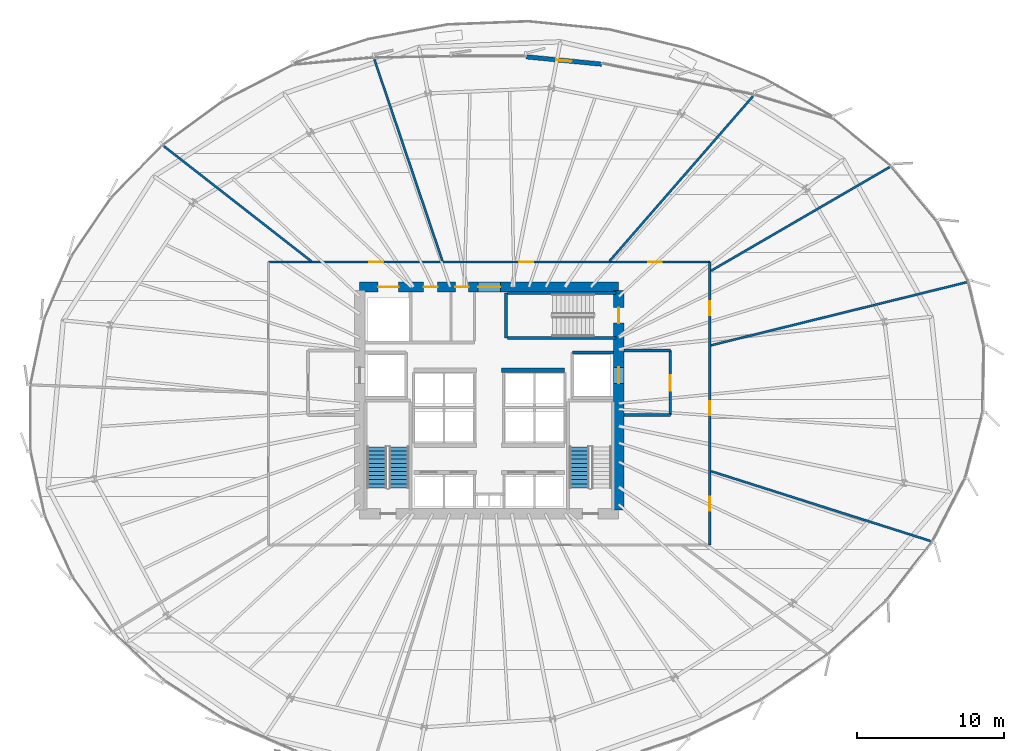
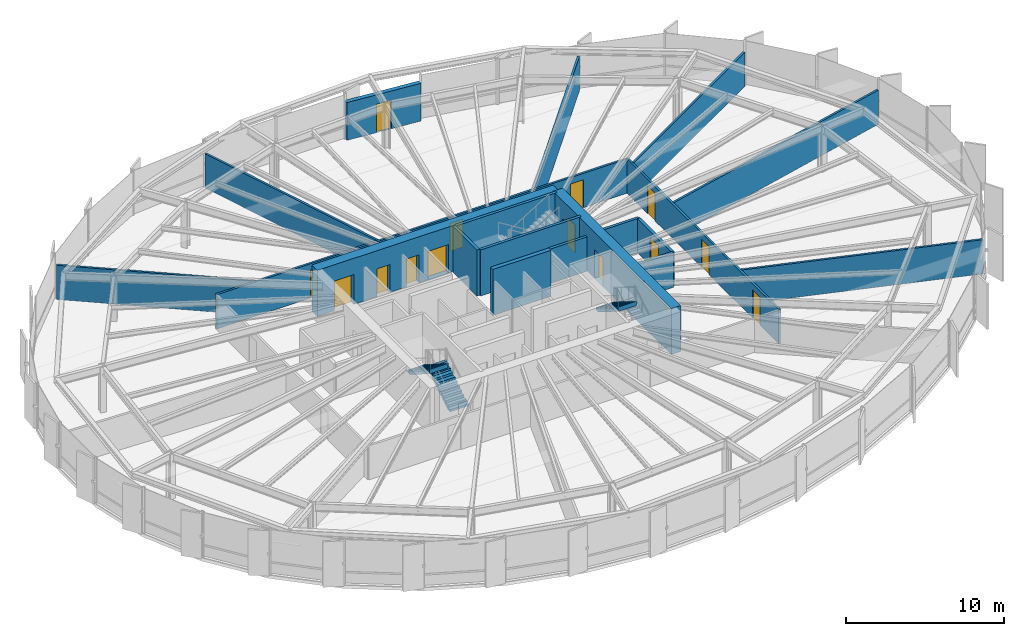
# One storey, part 31 of 37: 19 walls, 14 doors, 3 stair flights, 14 openings, 2 elements without a shape of their own.
"""IFC4 building model written with IfcOpenShell, lengths in metres."""

from ifc_helpers import new_model, si_unit, direction, frame, frame_2d, origin, place, context, subcontext, project, spatial, polyline, rectangle, outline, extrude, source, transform, mapped, material, layer, layer_set, type_object, element, fill, aggregate, save


model = new_model("IFC4")

# Units and contexts
model_context = context("Model", 3, precision=1e-05, world=origin(), true_north=direction((0.0, 1.0)))
body_context = subcontext(model_context, "Body", "Model", "MODEL_VIEW")
ifc_project = project(units=[si_unit("LENGTHUNIT", "METRE"), si_unit("AREAUNIT", "SQUARE_METRE"), si_unit("VOLUMEUNIT", "CUBIC_METRE"), si_unit("PLANEANGLEUNIT", "RADIAN"), si_unit("MASSUNIT", "GRAM", prefix="KILO"), si_unit("THERMODYNAMICTEMPERATUREUNIT", "KELVIN")], contexts=[model_context])

# Site, building, storey
site_placement = place(None, origin())
site = spatial("IfcSite", under=ifc_project, at=site_placement, CompositionType="ELEMENT")
building_placement = place(site_placement, origin())
building = spatial("IfcBuilding", under=site, at=building_placement, Name="Kethvar Cultural Tower", CompositionType="ELEMENT")
storey_placement = place(building_placement, frame((0.0, 0.0, 56.199951171875)))
storey = spatial("IfcBuildingStorey", under=building, at=storey_placement, Name="L13", CompositionType="ELEMENT", Elevation=56.199951171875)

# Wall, openings, doors
ifc_material_1 = material(Name="Concrete C60/75", Category="concrete")
ifc_layer_1 = layer(ifc_material_1, 0.699951171875, Name="Concrete C60/75", Category="concrete")
ifc_layer_set_1 = layer_set([ifc_layer_1], Name="Concrete C60/75 (700 mm)")
wall_type_1 = type_object("IfcWallType", Name="WL-CORE-700", PredefinedType="SHEAR", material=ifc_layer_set_1)
wall_1_placement = place(storey_placement, frame((55.60009765625, 35.5, 0.0), z_axis=(0.0, 0.0, 1.0), x_axis=(-1.0, 0.0, 0.0)))
wall_1 = element("IfcWall", 1, at=wall_1_placement, inside=storey, type_object=wall_type_1, Name="L13 Core Shear Wall N", PredefinedType="SHEAR", context=body_context, shape_type="SweptSolid", body=[
    extrude(rectangle(XDim=17.60009765625, YDim=0.699951171875, at=frame_2d((8.800048828125, 0.0))), origin(), (0.0, 0.0, 1.0), 3.550048828125),
])
opening_1_placement = place(wall_1_placement, frame((8.050048828125, 0.0, 0.0)))
opening_1 = element("IfcOpeningElement", 2, at=opening_1_placement, cuts=wall_1, Name="Opening D-L13-LN", PredefinedType="OPENING", context=body_context, shape_type="SweptSolid", body=[
    extrude(rectangle(XDim=1.5, YDim=2.199951171875, at=frame_2d((0.75, 1.10009765625))), frame((0.0, 0.35986328125, 0.0), z_axis=(0.0, -1.0, 0.0), x_axis=(1.0, 0.0, 0.0)), (0.0, 0.0, 1.0), 0.719970703125),
])
opening_2_placement = place(wall_1_placement, frame((14.949951171875, 0.0, 0.0)))
opening_2 = element("IfcOpeningElement", 3, at=opening_2_placement, cuts=wall_1, Name="Opening LD-G1", PredefinedType="OPENING", context=body_context, shape_type="SweptSolid", body=[
    extrude(rectangle(XDim=1.39990234375, YDim=2.300048828125, at=frame_2d((0.699951171875, 1.14990234375))), frame((0.0, 0.35986328125, 0.0), z_axis=(0.0, -1.0, 0.0), x_axis=(1.0, 0.0, 0.0)), (0.0, 0.0, 1.0), 0.719970703125),
])
opening_3_placement = place(wall_1_placement, frame((12.300048828125, 0.0, 0.0)))
opening_3 = element("IfcOpeningElement", 4, at=opening_3_placement, cuts=wall_1, Name="Opening D-L13-W1", PredefinedType="OPENING", context=body_context, shape_type="SweptSolid", body=[
    extrude(rectangle(XDim=0.949951171875, YDim=2.14990234375, at=frame_2d((0.47509765625, 1.074951171875))), frame((0.0, 0.35986328125, 0.0), z_axis=(0.0, -1.0, 0.0), x_axis=(1.0, 0.0, 0.0)), (0.0, 0.0, 1.0), 0.719970703125),
])
opening_4_placement = place(wall_1_placement, frame((10.199951171875, 0.0, 0.0)))
opening_4 = element("IfcOpeningElement", 5, at=opening_4_placement, cuts=wall_1, Name="Opening D-L13-W2", PredefinedType="OPENING", context=body_context, shape_type="SweptSolid", body=[
    extrude(rectangle(XDim=0.89990234375, YDim=2.14990234375, at=frame_2d((0.449951171875, 1.074951171875))), frame((0.0, 0.35986328125, 0.0), z_axis=(0.0, -1.0, 0.0), x_axis=(1.0, 0.0, 0.0)), (0.0, 0.0, 1.0), 0.719970703125),
])
ifc_material_2 = material(Name="Architectural Oak Timber", Category="wood")
door_type_1 = type_object("IfcDoorType", Name="DR-DBL-FD60-1500", OperationType="DOUBLE_DOOR_SINGLE_SWING", PredefinedType="DOOR", material=ifc_material_2)
shared_shape_1 = source(origin(), body_context, "Body", "SweptSolid", [
    extrude(rectangle(XDim=1.5, YDim=2.199951171875, at=frame_2d((0.75, 1.10009765625))), frame((0.0, 0.02490234375, 0.0), z_axis=(0.0, -1.0, 0.0), x_axis=(1.0, 0.0, 0.0)), (0.0, 0.0, 1.0), 0.050048828125),
])
door_1_placement = place(opening_1_placement, origin())
door_1 = element("IfcDoor", 6, at=door_1_placement, inside=storey, type_object=door_type_1, Name="L13 Lift Lobby Concourse Door", OperationType="DOUBLE_DOOR_SINGLE_SWING", OverallHeight=2.199951171875, OverallWidth=1.5, PredefinedType="DOOR", context=body_context, shape_type="MappedRepresentation", body=[
    mapped(shared_shape_1, transform((0.0, 0.0, 0.0), scale=1.0)),
])
fill(opening_1, door_1)
ifc_material_3 = material(Name="Steel S355J2", Category="steel")
door_type_2 = type_object("IfcDoorType", Name="DR-LIFT-SLIDE-1400", OperationType="NOTDEFINED", PredefinedType="DOOR", material=ifc_material_3)
shared_shape_2 = source(origin(), body_context, "Body", "SweptSolid", [
    extrude(rectangle(XDim=1.39990234375, YDim=2.300048828125, at=frame_2d((0.699951171875, 1.14990234375))), frame((0.0, 0.02490234375, 0.0), z_axis=(0.0, -1.0, 0.0), x_axis=(1.0, 0.0, 0.0)), (0.0, 0.0, 1.0), 0.050048828125),
])
door_2_placement = place(opening_2_placement, origin())
door_2 = element("IfcDoor", 7, at=door_2_placement, inside=storey, type_object=door_type_2, Name="L13 Goods Lift Landing Door", OperationType="SLIDING_TO_RIGHT", OverallHeight=2.300048828125, OverallWidth=1.39990234375, PredefinedType="DOOR", context=body_context, shape_type="MappedRepresentation", body=[
    mapped(shared_shape_2, transform((0.0, 0.0, 0.0), scale=1.0)),
])
fill(opening_2, door_2)
door_type_3 = type_object("IfcDoorType", Name="DR-FD30-950", OperationType="NOTDEFINED", PredefinedType="DOOR", material=ifc_material_2)
shared_shape_3 = source(origin(), body_context, "Body", "SweptSolid", [
    extrude(rectangle(XDim=0.949951171875, YDim=2.14990234375, at=frame_2d((0.47509765625, 1.074951171875))), frame((0.0, 0.02490234375, 0.0), z_axis=(0.0, -1.0, 0.0), x_axis=(1.0, 0.0, 0.0)), (0.0, 0.0, 1.0), 0.050048828125),
])
door_3_placement = place(opening_3_placement, origin())
door_3 = element("IfcDoor", 8, at=door_3_placement, inside=storey, type_object=door_type_3, Name="L13 Public Washroom Door", OperationType="SINGLE_SWING_LEFT", OverallHeight=2.14990234375, OverallWidth=0.949951171875, PredefinedType="DOOR", context=body_context, shape_type="MappedRepresentation", body=[
    mapped(shared_shape_3, transform((0.0, 0.0, 0.0), scale=1.0)),
])
fill(opening_3, door_3)
door_type_4 = type_object("IfcDoorType", Name="DR-FD30-900", OperationType="NOTDEFINED", PredefinedType="DOOR", material=ifc_material_2)
shared_shape_4 = source(origin(), body_context, "Body", "SweptSolid", [
    extrude(rectangle(XDim=0.89990234375, YDim=2.14990234375, at=frame_2d((0.449951171875, 1.074951171875))), frame((0.0, 0.02490234375, 0.0), z_axis=(0.0, -1.0, 0.0), x_axis=(1.0, 0.0, 0.0)), (0.0, 0.0, 1.0), 0.050048828125),
])
door_4_placement = place(opening_4_placement, origin())
door_4 = element("IfcDoor", 9, at=door_4_placement, inside=storey, type_object=door_type_4, Name="L13 Accessible Washroom Door", OperationType="SINGLE_SWING_RIGHT", OverallHeight=2.14990234375, OverallWidth=0.89990234375, PredefinedType="DOOR", context=body_context, shape_type="MappedRepresentation", body=[
    mapped(shared_shape_4, transform((0.0, 0.0, 0.0), scale=1.0)),
])
fill(opening_4, door_4)

wall_2_placement = place(storey_placement, frame((55.60009765625, 20.340087890625, 0.0), z_axis=(0.0, 0.0, 1.0), x_axis=(0.0, 1.0, 0.0)))
wall_2 = element("IfcWall", 10, at=wall_2_placement, inside=storey, type_object=wall_type_1, Name="L13 Core Shear Wall E", PredefinedType="SHEAR", context=body_context, shape_type="SweptSolid", body=[
    extrude(rectangle(XDim=14.919921875, YDim=0.699951171875, at=frame_2d((7.4599609375, 0.0))), origin(), (0.0, 0.0, 1.0), 3.550048828125),
])
opening_5_placement = place(wall_2_placement, frame((12.7099609375, 0.0, 0.0)))
opening_5 = element("IfcOpeningElement", 11, at=opening_5_placement, cuts=wall_2, Name="Opening D-L13-S3", PredefinedType="OPENING", context=body_context, shape_type="SweptSolid", body=[
    extrude(rectangle(XDim=1.050048828125, YDim=2.14990234375, at=frame_2d((0.52490234375, 1.074951171875))), frame((0.0, 0.35986328125, 0.0), z_axis=(0.0, -1.0, 0.0), x_axis=(1.0, 0.0, 0.0)), (0.0, 0.0, 1.0), 0.719970703125),
])
opening_6_placement = place(wall_2_placement, frame((8.610107421875, 0.0, 0.0)))
opening_6 = element("IfcOpeningElement", 12, at=opening_6_placement, cuts=wall_2, Name="Opening LD-2", PredefinedType="OPENING", context=body_context, shape_type="SweptSolid", body=[
    extrude(rectangle(XDim=1.10009765625, YDim=2.199951171875, at=frame_2d((0.550048828125, 1.10009765625))), frame((0.0, 0.35986328125, 0.0), z_axis=(0.0, -1.0, 0.0), x_axis=(1.0, 0.0, 0.0)), (0.0, 0.0, 1.0), 0.719970703125),
])
door_type_5 = type_object("IfcDoorType", Name="DR-FD60-1050", OperationType="NOTDEFINED", PredefinedType="DOOR", material=ifc_material_3)
shared_shape_5 = source(origin(), body_context, "Body", "SweptSolid", [
    extrude(rectangle(XDim=1.050048828125, YDim=2.14990234375, at=frame_2d((0.52490234375, 1.074951171875))), frame((0.0, 0.02490234375, 0.0), z_axis=(0.0, -1.0, 0.0), x_axis=(1.0, 0.0, 0.0)), (0.0, 0.0, 1.0), 0.050048828125),
])
door_5_placement = place(opening_5_placement, origin())
door_5 = element("IfcDoor", 13, at=door_5_placement, inside=storey, type_object=door_type_5, Name="L13 Exit Stair 3 Door", OperationType="SINGLE_SWING_LEFT", OverallHeight=2.14990234375, OverallWidth=1.050048828125, PredefinedType="DOOR", context=body_context, shape_type="MappedRepresentation", body=[
    mapped(shared_shape_5, transform((0.0, 0.0, 0.0), scale=1.0)),
])
fill(opening_5, door_5)
door_type_6 = type_object("IfcDoorType", Name="DR-LIFT-SLIDE-1100", OperationType="NOTDEFINED", PredefinedType="DOOR", material=ifc_material_3)
shared_shape_6 = source(origin(), body_context, "Body", "SweptSolid", [
    extrude(rectangle(XDim=1.10009765625, YDim=2.199951171875, at=frame_2d((0.550048828125, 1.10009765625))), frame((0.0, 0.02490234375, 0.0), z_axis=(0.0, -1.0, 0.0), x_axis=(1.0, 0.0, 0.0)), (0.0, 0.0, 1.0), 0.050048828125),
])
door_6_placement = place(opening_6_placement, origin())
door_6 = element("IfcDoor", 14, at=door_6_placement, inside=storey, type_object=door_type_6, Name="L13 Firefighting Lift Landing Door FFL-02", OperationType="SLIDING_TO_RIGHT", OverallHeight=2.199951171875, OverallWidth=1.10009765625, PredefinedType="DOOR", context=body_context, shape_type="MappedRepresentation", body=[
    mapped(shared_shape_6, transform((0.0, 0.0, 0.0), scale=1.0)),
])
fill(opening_6, door_6)

# Wall, opening, door
ifc_material_4 = material(Name="Concrete C40/50", Category="concrete")
ifc_layer_2 = layer(ifc_material_4, 0.300048828125, Name="Concrete C40/50", Category="concrete")
ifc_layer_set_2 = layer_set([ifc_layer_2], Name="Concrete C40/50 (300 mm)")
wall_type_2 = type_object("IfcWallType", Name="WL-EXT-TER-300", PredefinedType="SOLIDWALL", material=ifc_layer_set_2)
wall_3_placement = place(storey_placement, frame((49.30615234375, 51.141845703125, 0.0), z_axis=(0.0, 0.0, 1.0), x_axis=(0.995308557382, -0.096751618082, 0.0)))
wall_3 = element("IfcWall", 15, at=wall_3_placement, inside=storey, type_object=wall_type_2, Name="L13 Sky Terrace Access Wall", PredefinedType="SOLIDWALL", context=body_context, shape_type="SweptSolid", body=[
    extrude(rectangle(XDim=5.147705078125, YDim=0.300048828125, at=frame_2d((2.57373046875, 0.0))), origin(), (0.0, 0.0, 1.0), 2.925048828125),
])
opening_7_placement = place(wall_3_placement, frame((2.048828125, 0.0, 0.0)))
opening_7 = element("IfcOpeningElement", 16, at=opening_7_placement, cuts=wall_3, Name="Opening D-L13-T1", PredefinedType="OPENING", context=body_context, shape_type="SweptSolid", body=[
    extrude(rectangle(XDim=1.050048828125, YDim=2.199951171875, at=frame_2d((0.52490234375, 1.10009765625))), frame((0.0, 0.159912109375, 0.0), z_axis=(0.0, -1.0, 0.0), x_axis=(1.0, 0.0, 0.0)), (0.0, 0.0, 1.0), 0.320068359375),
])
ifc_material_5 = material(Name="Aluminium 6063-T6", Category="aluminium")
door_type_7 = type_object("IfcDoorType", Name="DR-EXT-TER-1050", OperationType="NOTDEFINED", PredefinedType="DOOR", material=ifc_material_5)
shared_shape_7 = source(origin(), body_context, "Body", "SweptSolid", [
    extrude(rectangle(XDim=1.050048828125, YDim=2.199951171875, at=frame_2d((0.52490234375, 1.10009765625))), frame((0.0, 0.02490234375, 0.0), z_axis=(0.0, -1.0, 0.0), x_axis=(1.0, 0.0, 0.0)), (0.0, 0.0, 1.0), 0.050048828125),
])
door_7_placement = place(opening_7_placement, origin())
door_7 = element("IfcDoor", 17, at=door_7_placement, inside=storey, type_object=door_type_7, Name="L13 Sky Terrace Access Door D-L13-T1", OperationType="SINGLE_SWING_RIGHT", OverallHeight=2.199951171875, OverallWidth=1.050048828125, PredefinedType="DOOR", context=body_context, shape_type="MappedRepresentation", body=[
    mapped(shared_shape_7, transform((0.0, 0.0, 0.0), scale=1.0)),
])
fill(opening_7, door_7)

# Wall, openings, doors
ifc_material_6 = material(Name="Gypsum Fireboard Partition")
ifc_layer_3 = layer(ifc_material_6, 0.14990234375, Name="Gypsum Fireboard Partition")
ifc_layer_set_3 = layer_set([ifc_layer_3], Name="Gypsum Fireboard Partition (150 mm)")
wall_type_3 = type_object("IfcWallType", Name="WL-FIRE-150", PredefinedType="PARTITIONING", material=ifc_layer_set_3)
wall_4_placement = place(storey_placement, frame((61.7900390625, 17.97998046875, 0.0), z_axis=(0.0, 0.0, 1.0), x_axis=(0.0, 1.0, 0.0)))
wall_4 = element("IfcWall", 18, at=wall_4_placement, inside=storey, type_object=wall_type_3, Name="L13 Corridor Rated Wall E", PredefinedType="PARTITIONING", context=body_context, shape_type="SweptSolid", body=[
    extrude(rectangle(XDim=19.219970703125, YDim=0.14990234375, at=frame_2d((9.60986328125, 0.0))), origin(), (0.0, 0.0, 1.0), 2.64501953125),
])
opening_8_placement = place(wall_4_placement, frame((2.332275390625, 0.0, 0.0)))
opening_8 = element("IfcOpeningElement", 19, at=opening_8_placement, cuts=wall_4, Name="Opening D-L13-03", PredefinedType="OPENING", context=body_context, shape_type="SweptSolid", body=[
    extrude(rectangle(XDim=0.949951171875, YDim=2.14990234375, at=frame_2d((0.47509765625, 1.074951171875))), frame((0.0, 0.0849609375, 0.0), z_axis=(0.0, -1.0, 0.0), x_axis=(1.0, 0.0, 0.0)), (0.0, 0.0, 1.0), 0.169921875),
])
opening_9_placement = place(wall_4_placement, frame((8.811279296875, 0.0, 0.0)))
opening_9 = element("IfcOpeningElement", 20, at=opening_9_placement, cuts=wall_4, Name="Opening D-L13-04", PredefinedType="OPENING", context=body_context, shape_type="SweptSolid", body=[
    extrude(rectangle(XDim=0.949951171875, YDim=2.14990234375, at=frame_2d((0.47509765625, 1.074951171875))), frame((0.0, 0.0849609375, 0.0), z_axis=(0.0, -1.0, 0.0), x_axis=(1.0, 0.0, 0.0)), (0.0, 0.0, 1.0), 0.169921875),
])
opening_10_placement = place(wall_4_placement, frame((15.60986328125, 0.0, 0.0)))
opening_10 = element("IfcOpeningElement", 21, at=opening_10_placement, cuts=wall_4, Name="Opening D-L13-05", PredefinedType="OPENING", context=body_context, shape_type="SweptSolid", body=[
    extrude(rectangle(XDim=0.949951171875, YDim=2.14990234375, at=frame_2d((0.47509765625, 1.074951171875))), frame((0.0, 0.0849609375, 0.0), z_axis=(0.0, -1.0, 0.0), x_axis=(1.0, 0.0, 0.0)), (0.0, 0.0, 1.0), 0.169921875),
])
door_8_placement = place(opening_8_placement, origin())
door_8 = element("IfcDoor", 22, at=door_8_placement, inside=storey, type_object=door_type_3, Name="L13 Art Monograph Boutique 03 Door", OperationType="SINGLE_SWING_RIGHT", OverallHeight=2.14990234375, OverallWidth=0.949951171875, PredefinedType="DOOR", context=body_context, shape_type="MappedRepresentation", body=[
    mapped(shared_shape_3, transform((0.0, 0.0, 0.0), scale=1.0)),
])
fill(opening_8, door_8)
door_9_placement = place(opening_9_placement, origin())
door_9 = element("IfcDoor", 23, at=door_9_placement, inside=storey, type_object=door_type_3, Name="L13 Poster Edition Shop 04 Door", OperationType="SINGLE_SWING_LEFT", OverallHeight=2.14990234375, OverallWidth=0.949951171875, PredefinedType="DOOR", context=body_context, shape_type="MappedRepresentation", body=[
    mapped(shared_shape_3, transform((0.0, 0.0, 0.0), scale=1.0)),
])
fill(opening_9, door_9)
door_10_placement = place(opening_10_placement, origin())
door_10 = element("IfcDoor", 24, at=door_10_placement, inside=storey, type_object=door_type_3, Name="L13 Rare Folio Storage 05 Door", OperationType="SINGLE_SWING_RIGHT", OverallHeight=2.14990234375, OverallWidth=0.949951171875, PredefinedType="DOOR", context=body_context, shape_type="MappedRepresentation", body=[
    mapped(shared_shape_3, transform((0.0, 0.0, 0.0), scale=1.0)),
])
fill(opening_10, door_10)

wall_5_placement = place(storey_placement, frame((61.7900390625, 37.199951171875, 0.0), z_axis=(0.0, 0.0, 1.0), x_axis=(-1.0, 0.0, 0.0)))
wall_5 = element("IfcWall", 25, at=wall_5_placement, inside=storey, type_object=wall_type_3, Name="L13 Corridor Rated Wall N", PredefinedType="PARTITIONING", context=body_context, shape_type="SweptSolid", body=[
    extrude(rectangle(XDim=29.97998046875, YDim=0.14990234375, at=frame_2d((14.989990234375, 0.0))), origin(), (0.0, 0.0, 1.0), 2.64501953125),
])
opening_11_placement = place(wall_5_placement, frame((3.251220703125, 0.0, 0.0)))
opening_11 = element("IfcOpeningElement", 26, at=opening_11_placement, cuts=wall_5, Name="Opening D-L13-06", PredefinedType="OPENING", context=body_context, shape_type="SweptSolid", body=[
    extrude(rectangle(XDim=0.949951171875, YDim=2.14990234375, at=frame_2d((0.47509765625, 1.074951171875))), frame((0.0, 0.0849609375, 0.0), z_axis=(0.0, -1.0, 0.0), x_axis=(1.0, 0.0, 0.0)), (0.0, 0.0, 1.0), 0.169921875),
])
opening_12_placement = place(wall_5_placement, frame((11.996337890625, 0.0, 0.0)))
opening_12 = element("IfcOpeningElement", 27, at=opening_12_placement, cuts=wall_5, Name="Opening D-L13-07", PredefinedType="OPENING", context=body_context, shape_type="SweptSolid", body=[
    extrude(rectangle(XDim=0.949951171875, YDim=2.14990234375, at=frame_2d((0.47509765625, 1.074951171875))), frame((0.0, 0.0849609375, 0.0), z_axis=(0.0, -1.0, 0.0), x_axis=(1.0, 0.0, 0.0)), (0.0, 0.0, 1.0), 0.169921875),
])
opening_13_placement = place(wall_5_placement, frame((22.188232421875, 0.0, 0.0)))
opening_13 = element("IfcOpeningElement", 28, at=opening_13_placement, cuts=wall_5, Name="Opening D-L13-08", PredefinedType="OPENING", context=body_context, shape_type="SweptSolid", body=[
    extrude(rectangle(XDim=0.949951171875, YDim=2.14990234375, at=frame_2d((0.47509765625, 1.074951171875))), frame((0.0, 0.0849609375, 0.0), z_axis=(0.0, -1.0, 0.0), x_axis=(1.0, 0.0, 0.0)), (0.0, 0.0, 1.0), 0.169921875),
])
door_11_placement = place(opening_11_placement, origin())
door_11 = element("IfcDoor", 29, at=door_11_placement, inside=storey, type_object=door_type_3, Name="L13 Periodicals Reading Lounge 06 Door", OperationType="SINGLE_SWING_LEFT", OverallHeight=2.14990234375, OverallWidth=0.949951171875, PredefinedType="DOOR", context=body_context, shape_type="MappedRepresentation", body=[
    mapped(shared_shape_3, transform((0.0, 0.0, 0.0), scale=1.0)),
])
fill(opening_11, door_11)
door_12_placement = place(opening_12_placement, origin())
door_12 = element("IfcDoor", 30, at=door_12_placement, inside=storey, type_object=door_type_3, Name="L13 Concourse Visitor Foyer 07 Door", OperationType="SINGLE_SWING_RIGHT", OverallHeight=2.14990234375, OverallWidth=0.949951171875, PredefinedType="DOOR", context=body_context, shape_type="MappedRepresentation", body=[
    mapped(shared_shape_3, transform((0.0, 0.0, 0.0), scale=1.0)),
])
fill(opening_12, door_12)
door_13_placement = place(opening_13_placement, origin())
door_13 = element("IfcDoor", 31, at=door_13_placement, inside=storey, type_object=door_type_3, Name="L13 Institute Tea Pantry 08 Door", OperationType="SINGLE_SWING_LEFT", OverallHeight=2.14990234375, OverallWidth=0.949951171875, PredefinedType="DOOR", context=body_context, shape_type="MappedRepresentation", body=[
    mapped(shared_shape_3, transform((0.0, 0.0, 0.0), scale=1.0)),
])
fill(opening_13, door_13)

# Wall
ifc_layer_4 = layer(ifc_material_4, 0.199951171875, Name="Concrete C40/50", Category="concrete")
ifc_layer_set_4 = layer_set([ifc_layer_4], Name="Concrete C40/50 (200 mm)")
wall_type_4 = type_object("IfcWallType", Name="WL-FIRE-200", PredefinedType="PARTITIONING", material=ifc_layer_set_4)
wall_6_placement = place(storey_placement, frame((52.449951171875, 31.050048828125, 0.0), z_axis=(0.0, 0.0, 1.0), x_axis=(1.0, 0.0, 0.0)))
element("IfcWall", 32, at=wall_6_placement, inside=storey, type_object=wall_type_4, Name="L13 FFL-02 Shaft North Wall", PredefinedType="PARTITIONING", context=body_context, shape_type="SweptSolid", body=[
    extrude(rectangle(XDim=2.7900390625, YDim=0.199951171875, at=frame_2d((1.39501953125, 0.0))), origin(), (0.0, 0.0, 1.0), 2.64501953125),
])

# Wall, opening, door
wall_7_placement = place(storey_placement, frame((59.10009765625, 26.800048828125, 0.0), z_axis=(0.0, 0.0, 1.0), x_axis=(0.0, 1.0, 0.0)))
wall_7 = element("IfcWall", 33, at=wall_7_placement, inside=storey, type_object=wall_type_4, Name="L13 Firefighting Lobby 2 Wall", PredefinedType="PARTITIONING", context=body_context, shape_type="SweptSolid", body=[
    extrude(rectangle(XDim=4.39990234375, YDim=0.199951171875, at=frame_2d((2.199951171875, 0.0))), origin(), (0.0, 0.0, 1.0), 2.64501953125),
])
opening_14_placement = place(wall_7_placement, frame((1.64990234375, 0.0, 0.0)))
opening_14 = element("IfcOpeningElement", 34, at=opening_14_placement, cuts=wall_7, Name="Opening D-L13-F2", PredefinedType="OPENING", context=body_context, shape_type="SweptSolid", body=[
    extrude(rectangle(XDim=1.050048828125, YDim=2.14990234375, at=frame_2d((0.52490234375, 1.074951171875))), frame((0.0, 0.10986328125, 0.0), z_axis=(0.0, -1.0, 0.0), x_axis=(1.0, 0.0, 0.0)), (0.0, 0.0, 1.0), 0.219970703125),
])
door_14_placement = place(opening_14_placement, origin())
door_14 = element("IfcDoor", 35, at=door_14_placement, inside=storey, type_object=door_type_5, Name="L13 Firefighting Lobby 2 Fire Door", OperationType="SINGLE_SWING_LEFT", OverallHeight=2.14990234375, OverallWidth=1.050048828125, PredefinedType="DOOR", context=body_context, shape_type="MappedRepresentation", body=[
    mapped(shared_shape_5, transform((0.0, 0.0, 0.0), scale=1.0)),
])
fill(opening_14, door_14)

# Walls
for number, where, z_axis, x_axis, name in (
    (36, (55.9599609375, 26.800048828125, 0.0), (0.0, 0.0, 1.0), (1.0, 0.0, 0.0), "L13 FF Lobby 2 South Wall"),
    (37, (55.9599609375, 31.199951171875, 0.0), (0.0, 0.0, 1.0), (1.0, 0.0, 0.0), "L13 FF Lobby 2 North Wall"),
):
    element("IfcWall", number, at=place(storey_placement, frame(where, z_axis=z_axis, x_axis=x_axis)), inside=storey, type_object=wall_type_4, Name=name, PredefinedType="PARTITIONING", context=body_context, shape_type="SweptSolid", body=[
        extrude(rectangle(XDim=3.14013671875, YDim=0.199951171875, at=frame_2d((1.570068359375, 0.0))), origin(), (0.0, 0.0, 1.0), 2.64501953125),
    ])
ifc_material_7 = material(Name="Gypsum Acoustic Partition")
ifc_layer_5 = layer(ifc_material_7, 0.14990234375, Name="Gypsum Acoustic Partition")
ifc_layer_set_5 = layer_set([ifc_layer_5], Name="Gypsum Acoustic Partition (150 mm)")
wall_type_5 = type_object("IfcWallType", Name="WL-PART-150", PredefinedType="PARTITIONING", material=ifc_layer_set_5)
wall_8_placement = place(storey_placement, frame((61.8662109375, 22.990234375, 0.0), z_axis=(0.0, 0.0, 1.0), x_axis=(0.953012807574, -0.302930006107, 0.0)))
element("IfcWall", 38, at=wall_8_placement, inside=storey, type_object=wall_type_5, Name="L13 Radial Partition Wall 04", PredefinedType="PARTITIONING", context=body_context, shape_type="SweptSolid", body=[
    extrude(rectangle(XDim=15.651123046875, YDim=0.14990234375, at=frame_2d((7.82568359375, 0.0))), origin(), (0.0, 0.0, 1.0), 2.64501953125),
])
wall_9_placement = place(storey_placement, frame((61.86767578125, 31.542724609375, 0.0), z_axis=(0.0, 0.0, 1.0), x_axis=(0.970877515326, 0.23957639749, 0.0)))
element("IfcWall", 39, at=wall_9_placement, inside=storey, type_object=wall_type_5, Name="L13 Radial Partition Wall 05", PredefinedType="PARTITIONING", context=body_context, shape_type="SweptSolid", body=[
    extrude(rectangle(XDim=17.88525390625, YDim=0.14990234375, at=frame_2d((8.942626953125, 0.0))), origin(), (0.0, 0.0, 1.0), 2.64501953125),
])
wall_10_placement = place(storey_placement, frame((61.859130859375, 36.6015625, 0.0), z_axis=(0.0, 0.0, 1.0), x_axis=(0.864825995499, 0.502071705544, 0.0)))
element("IfcWall", 40, at=wall_10_placement, inside=storey, type_object=wall_type_5, Name="L13 Radial Partition Wall 06", PredefinedType="PARTITIONING", context=body_context, shape_type="SweptSolid", body=[
    extrude(rectangle(XDim=14.02978515625, YDim=0.14990234375, at=frame_2d((7.014892578125, 0.0))), origin(), (0.0, 0.0, 1.0), 2.64501953125),
])
wall_11_placement = place(storey_placement, frame((54.969482421875, 37.26025390625, 0.0), z_axis=(0.0, 0.0, 1.0), x_axis=(0.656478076952, 0.754345103041, 0.0)))
element("IfcWall", 41, at=wall_11_placement, inside=storey, type_object=wall_type_5, Name="L13 Radial Partition Wall 07", PredefinedType="PARTITIONING", context=body_context, shape_type="SweptSolid", body=[
    extrude(rectangle(XDim=14.85791015625, YDim=0.14990234375, at=frame_2d((7.428955078125, 0.0))), origin(), (0.0, 0.0, 1.0), 2.64501953125),
])
wall_12_placement = place(storey_placement, frame((43.619873046875, 37.27587890625, 0.0), z_axis=(0.0, 0.0, 1.0), x_axis=(-0.319942102515, 0.947437096085, 0.0)))
element("IfcWall", 42, at=wall_12_placement, inside=storey, type_object=wall_type_5, Name="L13 Radial Partition Wall 08", PredefinedType="PARTITIONING", context=body_context, shape_type="SweptSolid", body=[
    extrude(rectangle(XDim=14.464111328125, YDim=0.14990234375, at=frame_2d((7.23193359375, 0.0))), origin(), (0.0, 0.0, 1.0), 2.64501953125),
])
wall_13_placement = place(storey_placement, frame((34.719482421875, 37.249267578125, 0.0), z_axis=(0.0, 0.0, 1.0), x_axis=(-0.78829236469, 0.615300859556, 0.0)))
element("IfcWall", 43, at=wall_13_placement, inside=storey, type_object=wall_type_5, Name="L13 Radial Partition Wall 09", PredefinedType="PARTITIONING", context=body_context, shape_type="SweptSolid", body=[
    extrude(rectangle(XDim=12.702880859375, YDim=0.14990234375, at=frame_2d((6.3515625, 0.0))), origin(), (0.0, 0.0, 1.0), 2.64501953125),
])
ifc_material_8 = material(Name="Concrete C50/60", Category="concrete")
ifc_layer_6 = layer(ifc_material_8, 0.300048828125, Name="Concrete C50/60", Category="concrete")
ifc_layer_set_6 = layer_set([ifc_layer_6], Name="Concrete C50/60 (300 mm)")
wall_type_6 = type_object("IfcWallType", Name="WL-SHAFT-300", PredefinedType="SHEAR", material=ifc_layer_set_6)
wall_14_placement = place(storey_placement, frame((47.64990234375, 29.85009765625, 0.0), z_axis=(0.0, 0.0, 1.0), x_axis=(1.0, 0.0, 0.0)))
element("IfcWall", 44, at=wall_14_placement, inside=storey, type_object=wall_type_6, Name="L13 Core Lift Spine Wall MID3E", PredefinedType="SHEAR", context=body_context, shape_type="SweptSolid", body=[
    extrude(rectangle(XDim=4.25, YDim=0.300048828125, at=frame_2d((2.125, 0.0))), origin(), (0.0, 0.0, 1.0), 3.550048828125),
])
ifc_layer_7 = layer(ifc_material_8, 0.199951171875, Name="Concrete C50/60", Category="concrete")
ifc_layer_set_7 = layer_set([ifc_layer_7], Name="Concrete C50/60 (200 mm)")
wall_type_7 = type_object("IfcWallType", Name="WL-STSHAFT-200", PredefinedType="SHEAR", material=ifc_layer_set_7)
wall_15_placement = place(storey_placement, frame((47.949951171875, 32.050048828125, 0.0), z_axis=(0.0, 0.0, 1.0), x_axis=(0.0, 1.0, 0.0)))
element("IfcWall", 45, at=wall_15_placement, inside=storey, type_object=wall_type_7, Name="L13 ST-03 Stair Shaft Wall FAR", PredefinedType="SHEAR", context=body_context, shape_type="SweptSolid", body=[
    extrude(rectangle(XDim=3.06005859375, YDim=0.199951171875, at=frame_2d((1.530029296875, 0.0))), origin(), (0.0, 0.0, 1.0), 3.550048828125),
])
for number, where, z_axis, x_axis, name in (
    (46, (48.050048828125, 35.110107421875, 0.0), (0.0, 0.0, 1.0), (1.0, 0.0, 0.0), "L13 ST-03 Stair Shaft Wall LEFT"),
    (47, (55.39990234375, 32.050048828125, 0.0), (0.0, 0.0, 1.0), (-1.0, 0.0, 0.0), "L13 ST-03 Stair Shaft Wall RIGHT"),
):
    element("IfcWall", number, at=place(storey_placement, frame(where, z_axis=z_axis, x_axis=x_axis)), inside=storey, type_object=wall_type_7, Name=name, PredefinedType="SHEAR", context=body_context, shape_type="SweptSolid", body=[
        extrude(rectangle(XDim=7.349853515625, YDim=0.199951171875, at=frame_2d((3.6748046875, 0.0))), origin(), (0.0, 0.0, 1.0), 3.550048828125),
    ])

# Stair, stair flights
stair_type = type_object("IfcStairType", Name="ST-DOGLEG-135", PredefinedType="HALF_TURN_STAIR", material=ifc_material_4)
stair_1_placement = place(storey_placement, origin())
stair_1 = element("IfcStair", 48, at=stair_1_placement, inside=storey, type_object=stair_type, Name="L13 Core Exit Stair 1", PredefinedType="HALF_TURN_STAIR")
stair_flight_type = type_object("IfcStairFlightType", Name="FL-STRAIGHT-135", PredefinedType="STRAIGHT", material=ifc_material_4)
stair_flight_1_placement = place(storey_placement, frame((40.675048828125, 21.85009765625, 0.0), z_axis=(0.0, 0.0, 1.0), x_axis=(0.0, 1.0, 0.0)))
stair_flight_1 = element("IfcStairFlight", 49, at=stair_flight_1_placement, type_object=stair_flight_type, Name="ST-01 flight 1", NumberOfRisers=11, NumberOfTreads=10, PredefinedType="STRAIGHT", RiserHeight=0.172727273, TreadLength=0.28, context=body_context, shape_type="SweptSolid", body=[
    extrude(outline(polyline([(-0.0009765625, -0.0009765625), (-0.0009765625, 0.172607421875), (0.280029296875, 0.172607421875), (0.280029296875, 0.345458984375), (0.56005859375, 0.345458984375), (0.56005859375, 0.51806640625), (0.840087890625, 0.51806640625), (0.840087890625, 0.69091796875), (1.1201171875, 0.69091796875), (1.1201171875, 0.863525390625), (1.39990234375, 0.863525390625), (1.39990234375, 1.036376953125), (1.679931640625, 1.036376953125), (1.679931640625, 1.208984375), (1.9599609375, 1.208984375), (1.9599609375, 1.3818359375), (2.239990234375, 1.3818359375), (2.239990234375, 1.554443359375), (2.52001953125, 1.554443359375), (2.52001953125, 1.727294921875), (2.800048828125, 1.727294921875), (2.800048828125, 1.89990234375), (2.801025390625, 1.89990234375), (2.801025390625, 1.551025390625), (0.285400390625, 0.0), (0.0, -0.0009765625), (-0.0009765625, -0.0009765625)])), frame((0.0, 0.675048828125, 0.0), z_axis=(0.0, -1.0, 0.0), x_axis=(1.0, 0.0, 0.0)), (0.0, 0.0, 1.0), 1.35009765625),
])
stair_flight_2_placement = place(storey_placement, frame((39.1650390625, 24.64990234375, 1.900146484375), z_axis=(0.0, 0.0, 1.0), x_axis=(0.0, -1.0, 0.0)))
stair_flight_2 = element("IfcStairFlight", 50, at=stair_flight_2_placement, type_object=stair_flight_type, Name="ST-01 flight 2", NumberOfRisers=11, NumberOfTreads=10, PredefinedType="STRAIGHT", RiserHeight=0.172727273, TreadLength=0.28, context=body_context, shape_type="SweptSolid", body=[
    extrude(outline(polyline([(-0.0009765625, -0.0009765625), (-0.0009765625, 0.172607421875), (0.280029296875, 0.172607421875), (0.280029296875, 0.345458984375), (0.56005859375, 0.345458984375), (0.56005859375, 0.51806640625), (0.840087890625, 0.51806640625), (0.840087890625, 0.69091796875), (1.1201171875, 0.69091796875), (1.1201171875, 0.863525390625), (1.39990234375, 0.863525390625), (1.39990234375, 1.036376953125), (1.679931640625, 1.036376953125), (1.679931640625, 1.208984375), (1.9599609375, 1.208984375), (1.9599609375, 1.3818359375), (2.239990234375, 1.3818359375), (2.239990234375, 1.554443359375), (2.52001953125, 1.554443359375), (2.52001953125, 1.727294921875), (2.800048828125, 1.727294921875), (2.800048828125, 1.89990234375), (2.801025390625, 1.89990234375), (2.801025390625, 1.551025390625), (0.285400390625, 0.0), (0.0, -0.0009765625), (-0.0009765625, -0.0009765625)])), frame((0.0, 0.675048828125, 0.0), z_axis=(0.0, -1.0, 0.0), x_axis=(1.0, 0.0, 0.0)), (0.0, 0.0, 1.0), 1.35009765625),
])
aggregate(stair_1, [stair_flight_1, stair_flight_2])

# Stair, stair flight
stair_2_placement = place(storey_placement, origin())
stair_2 = element("IfcStair", 51, at=stair_2_placement, inside=storey, type_object=stair_type, Name="L13 Core Exit Stair 2", PredefinedType="HALF_TURN_STAIR")
stair_flight_3_placement = place(storey_placement, frame((52.925048828125, 24.64990234375, 1.900146484375), z_axis=(0.0, 0.0, 1.0), x_axis=(0.0, -1.0, 0.0)))
stair_flight_3 = element("IfcStairFlight", 52, at=stair_flight_3_placement, type_object=stair_flight_type, Name="ST-02 flight 2", NumberOfRisers=11, NumberOfTreads=10, PredefinedType="STRAIGHT", RiserHeight=0.172727273, TreadLength=0.28, context=body_context, shape_type="SweptSolid", body=[
    extrude(outline(polyline([(-0.0009765625, -0.0009765625), (-0.0009765625, 0.172607421875), (0.280029296875, 0.172607421875), (0.280029296875, 0.345458984375), (0.56005859375, 0.345458984375), (0.56005859375, 0.51806640625), (0.840087890625, 0.51806640625), (0.840087890625, 0.69091796875), (1.1201171875, 0.69091796875), (1.1201171875, 0.863525390625), (1.39990234375, 0.863525390625), (1.39990234375, 1.036376953125), (1.679931640625, 1.036376953125), (1.679931640625, 1.208984375), (1.9599609375, 1.208984375), (1.9599609375, 1.3818359375), (2.239990234375, 1.3818359375), (2.239990234375, 1.554443359375), (2.52001953125, 1.554443359375), (2.52001953125, 1.727294921875), (2.800048828125, 1.727294921875), (2.800048828125, 1.89990234375), (2.801025390625, 1.89990234375), (2.801025390625, 1.551025390625), (0.285400390625, 0.0), (0.0, -0.0009765625), (-0.0009765625, -0.0009765625)])), frame((0.0, 0.675048828125, 0.0), z_axis=(0.0, -1.0, 0.0), x_axis=(1.0, 0.0, 0.0)), (0.0, 0.0, 1.0), 1.35009765625),
])
aggregate(stair_2, [stair_flight_3])

save(model, "model.ifc")
